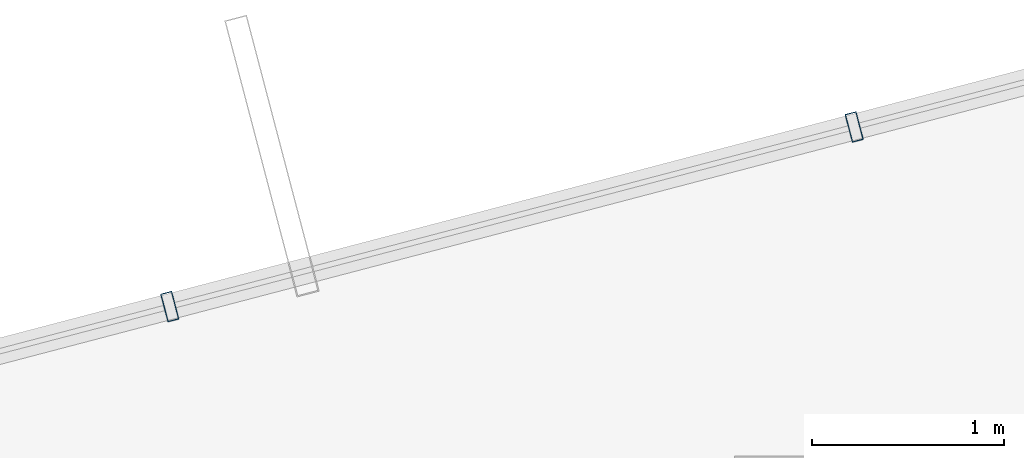
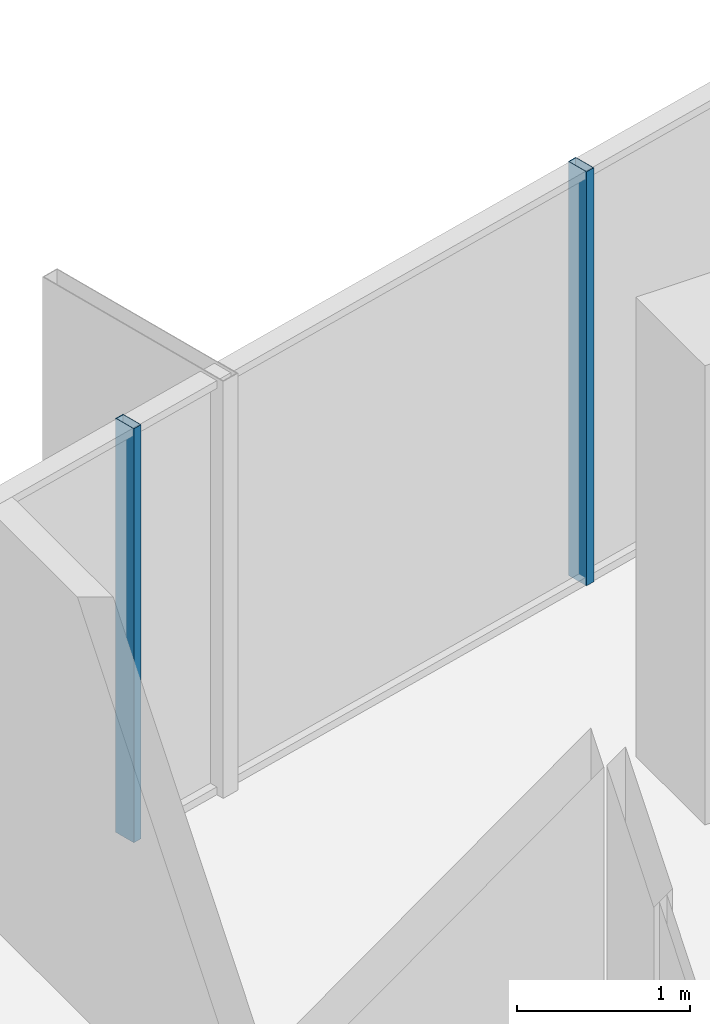
# One storey, part 21 of 29: 2 members, 1 element without a shape of its own.
"""IFC4 building model written with IfcOpenShell, lengths in metres."""

from ifc_helpers import new_model, si_unit, direction, frame, origin, origin_2d, place, context, subcontext, project, spatial, hollow_rectangle, extrude, source, transform, mapped, material, layer, layer_set, material_profile, profile_set, type_object, element, aggregate, save


model = new_model("IFC4")

# Units and contexts
model_context = context("Model", 3, precision=1e-05, world=origin(), true_north=direction((0.0, 1.0)))
body_context = subcontext(model_context, "Body", "Model", "MODEL_VIEW")
ifc_project = project(units=[si_unit("LENGTHUNIT", "METRE"), si_unit("AREAUNIT", "SQUARE_METRE"), si_unit("VOLUMEUNIT", "CUBIC_METRE"), si_unit("PLANEANGLEUNIT", "RADIAN"), si_unit("MASSUNIT", "GRAM", prefix="KILO")], contexts=[model_context])

# Site, building, storey
site_placement = place(None, origin())
site = spatial("IfcSite", under=ifc_project, at=site_placement, CompositionType="ELEMENT")
building_placement = place(site_placement, origin())
building = spatial("IfcBuilding", under=site, at=building_placement, Name="Veraguas Prism Commons", CompositionType="ELEMENT")
storey_placement = place(building_placement, frame((0.0, 0.0, 261.0)))
storey = spatial("IfcBuildingStorey", under=building, at=storey_placement, Name="L74", CompositionType="ELEMENT", Elevation=261.0)

# Curtain wall, members
ifc_material = material(Name="Anodised aluminium EN AW-6063 T6", Category="aluminium")
ifc_layer = layer(ifc_material, 0.14990234375, Name="Unitised Flush Curtain Wall Zone 4", Category="aluminium")
ifc_layer_set = layer_set([ifc_layer], Name="Anodised aluminium EN AW-6063 T6")
curtain_wall_type = type_object("IfcCurtainWallType", Name="Unitised Flush Curtain Wall Zone 4", PredefinedType="NOTDEFINED", material=ifc_layer_set)
curtain_wall_placement = place(storey_placement, origin())
curtain_wall = element("IfcCurtainWall", 1, at=curtain_wall_placement, inside=storey, type_object=curtain_wall_type, Name="Tower Facade Curtain Wall L74-F2", PredefinedType="NOTDEFINED")
ifc_material_profile = material_profile(ifc_material, hollow_rectangle(XDim=0.06005859375, YDim=0.14990234375, WallThickness=0.0029296875, at=origin_2d()), Name="AL60X150X3")
ifc_profile_set = profile_set([ifc_material_profile], Name="Anodised aluminium EN AW-6063 T6")
member_type = type_object("IfcMemberType", Name="Curtain Wall Mullion Upper AL 60x150x3", PredefinedType="MULLION", material=ifc_profile_set)
shared_shape = source(origin(), body_context, "Body", "SweptSolid", [
    extrude(hollow_rectangle(XDim=0.06005859375, YDim=0.14990234375, WallThickness=0.0029296875, at=origin_2d()), origin(), (0.0, 0.0, 1.0), 2.929931640625),
])
member_1_placement = place(storey_placement, frame((19.824462890625, 39.916015625, 0.0), z_axis=(0.0, 0.0, 1.0), x_axis=(-0.967265981188, -0.253764697381, 0.0)))
member_1 = element("IfcMember", 2, at=member_1_placement, type_object=member_type, Name="CW-Z4 Mullion 3", PredefinedType="MULLION", context=body_context, shape_type="MappedRepresentation", body=[
    mapped(shared_shape, transform((0.0, 0.0, 0.0), scale=1.0)),
])
member_2_placement = place(storey_placement, frame((16.253662109375, 38.97900390625, 0.0), z_axis=(0.0, 0.0, 1.0), x_axis=(-0.967265981188, -0.253764697381, 0.0)))
member_2 = element("IfcMember", 3, at=member_2_placement, type_object=member_type, Name="CW-Z4 Mullion 4", PredefinedType="MULLION", context=body_context, shape_type="MappedRepresentation", body=[
    mapped(shared_shape, transform((0.0, 0.0, 0.0), scale=1.0)),
])
aggregate(curtain_wall, [member_1, member_2])

save(model, "model.ifc")
